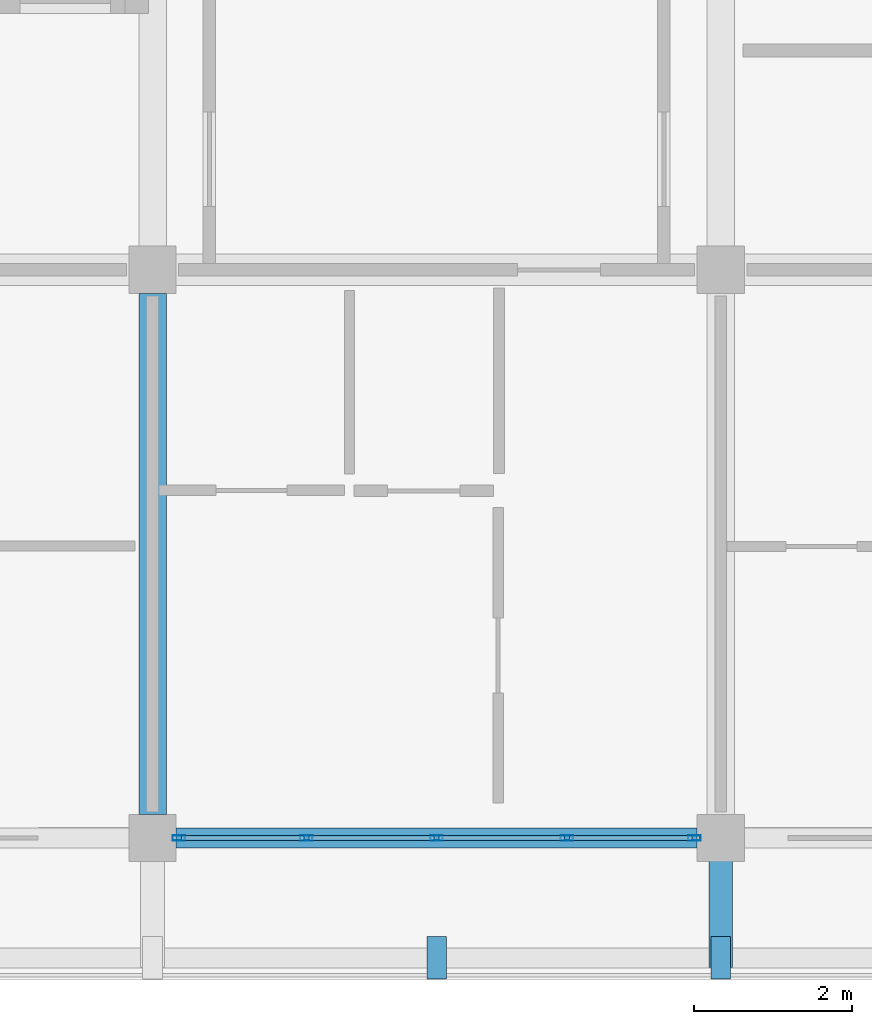
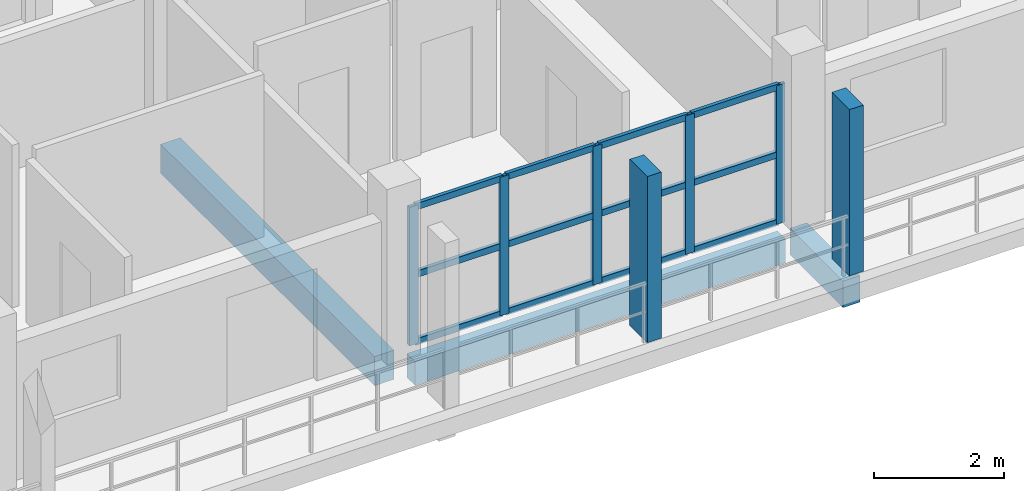
# One storey, part 23 of 75: 19 members, 3 beams, 1 element without a shape of its own.
"""IFC4 building model written with IfcOpenShell, lengths in metres."""

from ifc_helpers import new_model, si_unit, direction, frame, origin, origin_2d, place, context, subcontext, project, spatial, rectangle, hollow_rectangle, extrude, material, material_profile, profile_set, type_object, element, aggregate, save


model = new_model("IFC4")

# Units and contexts
model_context = context("Model", 3, precision=1e-05, world=origin(), true_north=direction((0.0, 1.0)))
body_context = subcontext(model_context, "Body", "Model", "MODEL_VIEW")
ifc_project = project(units=[si_unit("LENGTHUNIT", "METRE"), si_unit("AREAUNIT", "SQUARE_METRE"), si_unit("VOLUMEUNIT", "CUBIC_METRE"), si_unit("PLANEANGLEUNIT", "RADIAN"), si_unit("MASSUNIT", "GRAM", prefix="KILO")], contexts=[model_context])

# Site, building, storey
site_placement = place(None, origin())
site = spatial("IfcSite", under=ifc_project, at=site_placement, CompositionType="ELEMENT")
building_placement = place(site_placement, origin())
building = spatial("IfcBuilding", under=site, at=building_placement, Name="Suanplinth Sawtooth Commons", CompositionType="ELEMENT")
storey_placement = place(building_placement, frame((0.0, 0.0, 18.60009765625)))
storey = spatial("IfcBuildingStorey", under=building, at=storey_placement, Name="L05", CompositionType="ELEMENT", Elevation=18.60009765625)

# Beams
ifc_material_1 = material(Name="Precast concrete C40/50", Category="concrete")
ifc_material_profile_1 = material_profile(ifc_material_1, rectangle(XDim=0.35009765625, YDim=0.550048828125, at=origin_2d()), Name="PC-BM 350x550")
ifc_profile_set_1 = profile_set([ifc_material_profile_1], Name="Precast concrete C40/50")
beam_type_1 = type_object("IfcBeamType", Name="B-06", PredefinedType="BEAM", material=ifc_profile_set_1)
beam_1_placement = place(storey_placement, frame((144.0, 0.300048828125, -0.525146484375), z_axis=(0.0, 1.0, 0.0), x_axis=(-1.0, 0.0, 0.0)))
element("IfcBeam", 1, at=beam_1_placement, inside=storey, type_object=beam_type_1, Name="BMY-L05-C-20-0", PredefinedType="BEAM", context=body_context, shape_type="SweptSolid", body=[
    extrude(rectangle(XDim=0.35009765625, YDim=0.550048828125, at=origin_2d()), origin(), (0.0, 0.0, 1.0), 6.599853515625),
])
ifc_material_profile_2 = material_profile(ifc_material_1, rectangle(XDim=0.300048828125, YDim=0.5, at=origin_2d()), Name="PC-BM 300x500")
ifc_profile_set_2 = profile_set([ifc_material_profile_2], Name="Precast concrete C40/50")
beam_type_2 = type_object("IfcBeamType", Name="B-07", PredefinedType="BEAM", material=ifc_profile_set_2)
beam_2_placement = place(storey_placement, frame((151.199951171875, 0.0, -0.43017578125), z_axis=(0.0, -1.0, 0.0), x_axis=(1.0, 0.0, 0.0)))
element("IfcBeam", 2, at=beam_2_placement, inside=storey, type_object=beam_type_2, Name="Balcony Outrigger L05-C-S-21", PredefinedType="BEAM", context=body_context, shape_type="SweptSolid", body=[
    extrude(rectangle(XDim=0.300048828125, YDim=0.5, at=origin_2d()), origin(), (0.0, 0.0, 1.0), 1.639892578125),
])
ifc_material_profile_3 = material_profile(ifc_material_1, rectangle(XDim=0.25, YDim=0.449951171875, at=origin_2d()), Name="PC-SP 250x450")
ifc_profile_set_3 = profile_set([ifc_material_profile_3], Name="Precast concrete C40/50")
beam_type_3 = type_object("IfcBeamType", Name="B-09", PredefinedType="SPANDREL", material=ifc_profile_set_3)
beam_3_placement = place(storey_placement, frame((144.300048828125, 0.0, -0.47509765625), z_axis=(1.0, 0.0, 0.0), x_axis=(0.0, 1.0, 0.0)))
element("IfcBeam", 3, at=beam_3_placement, inside=storey, type_object=beam_type_3, Name="BMX-L05-C-20-0", PredefinedType="SPANDREL", context=body_context, shape_type="SweptSolid", body=[
    extrude(rectangle(XDim=0.25, YDim=0.449951171875, at=origin_2d()), origin(), (0.0, 0.0, 1.0), 6.599853515625),
])

# Members
ifc_material_2 = material(Name="Pigmented precast concrete C40/50", Category="concrete")
ifc_material_profile_4 = material_profile(ifc_material_2, rectangle(XDim=0.25, YDim=0.5400390625, at=origin_2d()), Name="PC-FIN 250x540")
ifc_profile_set_4 = profile_set([ifc_material_profile_4], Name="Pigmented precast concrete C40/50")
member_type_1 = type_object("IfcMemberType", Name="M-11", PredefinedType="USERDEFINED", material=ifc_profile_set_4)
for number, where, z_axis, x_axis, name in (
    (4, (147.60009765625, -1.52001953125, 0.0), (0.0, 0.0, 1.0), (1.0, 0.0, 0.0), "Upright Solar Blade L05-C-S-03"),
    (5, (151.199951171875, -1.52001953125, 0.0), (0.0, 0.0, 1.0), (1.0, 0.0, 0.0), "Upright Solar Blade L05-C-S-04"),
):
    element("IfcMember", number, at=place(storey_placement, frame(where, z_axis=z_axis, x_axis=x_axis)), inside=storey, type_object=member_type_1, Name=name, ObjectType="SHADING FIN", PredefinedType="USERDEFINED", context=body_context, shape_type="SweptSolid", body=[
        extrude(rectangle(XDim=0.25, YDim=0.5400390625, at=origin_2d()), origin(), (0.0, 0.0, 1.0), 3.1298828125),
    ])

# Curtain wall, members
ifc_material_3 = material(Name="Anodized aluminium and low-E glazing", Category="aluminium")
curtain_wall_type = type_object("IfcCurtainWallType", Name="CW-06", PredefinedType="USERDEFINED", material=ifc_material_3)
curtain_wall_placement = place(storey_placement, origin())
curtain_wall = element("IfcCurtainWall", 6, at=curtain_wall_placement, inside=storey, type_object=curtain_wall_type, Name="Curtain Wall CW-L05-C-LOUNGE-20", ObjectType="CURTAIN WALL", PredefinedType="USERDEFINED")
ifc_material_4 = material(Name="Anodized aluminium 6063-T6", Category="aluminium")
ifc_material_profile_5 = material_profile(ifc_material_4, hollow_rectangle(XDim=0.06494140625, YDim=0.159912109375, WallThickness=0.00390625, at=origin_2d()), Name="ALU-MUL 65x160")
ifc_profile_set_5 = profile_set([ifc_material_profile_5], Name="Anodized aluminium 6063-T6")
member_type_2 = type_object("IfcMemberType", Name="M-13", PredefinedType="MULLION", material=ifc_profile_set_5)
member_1_placement = place(storey_placement, frame((144.33251953125, 0.0, 0.0), z_axis=(0.0, 0.0, 1.0), x_axis=(0.0, 1.0, 0.0)))
member_1 = element("IfcMember", 7, at=member_1_placement, type_object=member_type_2, Name="CW-06 mullion 1", PredefinedType="MULLION", context=body_context, shape_type="SweptSolid", body=[
    extrude(hollow_rectangle(XDim=0.06494140625, YDim=0.159912109375, WallThickness=0.00390625, at=origin_2d()), origin(), (0.0, 0.0, 1.0), 2.60986328125),
])
member_2_placement = place(storey_placement, frame((145.949951171875, 0.0, 0.0), z_axis=(0.0, 0.0, 1.0), x_axis=(0.0, 1.0, 0.0)))
member_2 = element("IfcMember", 8, at=member_2_placement, type_object=member_type_2, Name="CW-06 mullion 2", PredefinedType="MULLION", context=body_context, shape_type="SweptSolid", body=[
    extrude(hollow_rectangle(XDim=0.06494140625, YDim=0.159912109375, WallThickness=0.00390625, at=origin_2d()), origin(), (0.0, 0.0, 1.0), 2.60986328125),
])
member_3_placement = place(storey_placement, frame((147.60009765625, 0.0, 0.0), z_axis=(0.0, 0.0, 1.0), x_axis=(0.0, 1.0, 0.0)))
member_3 = element("IfcMember", 9, at=member_3_placement, type_object=member_type_2, Name="CW-06 mullion 3", PredefinedType="MULLION", context=body_context, shape_type="SweptSolid", body=[
    extrude(hollow_rectangle(XDim=0.06494140625, YDim=0.159912109375, WallThickness=0.00390625, at=origin_2d()), origin(), (0.0, 0.0, 1.0), 2.60986328125),
])
member_4_placement = place(storey_placement, frame((149.25, 0.0, 0.0), z_axis=(0.0, 0.0, 1.0), x_axis=(0.0, 1.0, 0.0)))
member_4 = element("IfcMember", 10, at=member_4_placement, type_object=member_type_2, Name="CW-06 mullion 4", PredefinedType="MULLION", context=body_context, shape_type="SweptSolid", body=[
    extrude(hollow_rectangle(XDim=0.06494140625, YDim=0.159912109375, WallThickness=0.00390625, at=origin_2d()), origin(), (0.0, 0.0, 1.0), 2.60986328125),
])
member_5_placement = place(storey_placement, frame((150.867431640625, 0.0, 0.0), z_axis=(0.0, 0.0, 1.0), x_axis=(0.0, 1.0, 0.0)))
member_5 = element("IfcMember", 11, at=member_5_placement, type_object=member_type_2, Name="CW-06 mullion 5", PredefinedType="MULLION", context=body_context, shape_type="SweptSolid", body=[
    extrude(hollow_rectangle(XDim=0.06494140625, YDim=0.159912109375, WallThickness=0.00390625, at=origin_2d()), origin(), (0.0, 0.0, 1.0), 2.60986328125),
])
ifc_material_profile_6 = material_profile(ifc_material_4, hollow_rectangle(XDim=0.06494140625, YDim=0.1201171875, WallThickness=0.00390625, at=origin_2d()), Name="ALU-TRN 65x120")
ifc_profile_set_6 = profile_set([ifc_material_profile_6], Name="Anodized aluminium 6063-T6")
member_type_3 = type_object("IfcMemberType", Name="M-15", PredefinedType="USERDEFINED", material=ifc_profile_set_6)
member_6_placement = place(storey_placement, frame((144.364990234375, 0.0, 0.032470703125), z_axis=(1.0, 0.0, 0.0), x_axis=(0.0, 1.0, 0.0)))
member_6 = element("IfcMember", 12, at=member_6_placement, type_object=member_type_3, Name="CW-06 transom 1.1", ObjectType="TRANSOM", PredefinedType="USERDEFINED", context=body_context, shape_type="SweptSolid", body=[
    extrude(hollow_rectangle(XDim=0.06494140625, YDim=0.1201171875, WallThickness=0.00390625, at=origin_2d()), origin(), (0.0, 0.0, 1.0), 1.552490234375),
])
member_7_placement = place(storey_placement, frame((144.364990234375, 0.0, 1.304931640625), z_axis=(1.0, 0.0, 0.0), x_axis=(0.0, 1.0, 0.0)))
member_7 = element("IfcMember", 13, at=member_7_placement, type_object=member_type_3, Name="CW-06 transom 1.2", ObjectType="TRANSOM", PredefinedType="USERDEFINED", context=body_context, shape_type="SweptSolid", body=[
    extrude(hollow_rectangle(XDim=0.06494140625, YDim=0.1201171875, WallThickness=0.00390625, at=origin_2d()), origin(), (0.0, 0.0, 1.0), 1.552490234375),
])
member_8_placement = place(storey_placement, frame((144.364990234375, 0.0, 2.577392578125), z_axis=(1.0, 0.0, 0.0), x_axis=(0.0, 1.0, 0.0)))
member_8 = element("IfcMember", 14, at=member_8_placement, type_object=member_type_3, Name="CW-06 transom 1.3", ObjectType="TRANSOM", PredefinedType="USERDEFINED", context=body_context, shape_type="SweptSolid", body=[
    extrude(hollow_rectangle(XDim=0.06494140625, YDim=0.1201171875, WallThickness=0.00390625, at=origin_2d()), origin(), (0.0, 0.0, 1.0), 1.552490234375),
])
member_9_placement = place(storey_placement, frame((145.982421875, 0.0, 0.032470703125), z_axis=(1.0, 0.0, 0.0), x_axis=(0.0, 1.0, 0.0)))
member_9 = element("IfcMember", 15, at=member_9_placement, type_object=member_type_3, Name="CW-06 transom 2.1", ObjectType="TRANSOM", PredefinedType="USERDEFINED", context=body_context, shape_type="SweptSolid", body=[
    extrude(hollow_rectangle(XDim=0.06494140625, YDim=0.1201171875, WallThickness=0.00390625, at=origin_2d()), origin(), (0.0, 0.0, 1.0), 1.5849609375),
])
member_10_placement = place(storey_placement, frame((145.982421875, 0.0, 1.304931640625), z_axis=(1.0, 0.0, 0.0), x_axis=(0.0, 1.0, 0.0)))
member_10 = element("IfcMember", 16, at=member_10_placement, type_object=member_type_3, Name="CW-06 transom 2.2", ObjectType="TRANSOM", PredefinedType="USERDEFINED", context=body_context, shape_type="SweptSolid", body=[
    extrude(hollow_rectangle(XDim=0.06494140625, YDim=0.1201171875, WallThickness=0.00390625, at=origin_2d()), origin(), (0.0, 0.0, 1.0), 1.5849609375),
])
member_11_placement = place(storey_placement, frame((145.982421875, 0.0, 2.577392578125), z_axis=(1.0, 0.0, 0.0), x_axis=(0.0, 1.0, 0.0)))
member_11 = element("IfcMember", 17, at=member_11_placement, type_object=member_type_3, Name="CW-06 transom 2.3", ObjectType="TRANSOM", PredefinedType="USERDEFINED", context=body_context, shape_type="SweptSolid", body=[
    extrude(hollow_rectangle(XDim=0.06494140625, YDim=0.1201171875, WallThickness=0.00390625, at=origin_2d()), origin(), (0.0, 0.0, 1.0), 1.5849609375),
])
member_12_placement = place(storey_placement, frame((147.632568359375, 0.0, 0.032470703125), z_axis=(1.0, 0.0, 0.0), x_axis=(0.0, 1.0, 0.0)))
member_12 = element("IfcMember", 18, at=member_12_placement, type_object=member_type_3, Name="CW-06 transom 3.1", ObjectType="TRANSOM", PredefinedType="USERDEFINED", context=body_context, shape_type="SweptSolid", body=[
    extrude(hollow_rectangle(XDim=0.06494140625, YDim=0.1201171875, WallThickness=0.00390625, at=origin_2d()), origin(), (0.0, 0.0, 1.0), 1.5849609375),
])
member_13_placement = place(storey_placement, frame((147.632568359375, 0.0, 1.304931640625), z_axis=(1.0, 0.0, 0.0), x_axis=(0.0, 1.0, 0.0)))
member_13 = element("IfcMember", 19, at=member_13_placement, type_object=member_type_3, Name="CW-06 transom 3.2", ObjectType="TRANSOM", PredefinedType="USERDEFINED", context=body_context, shape_type="SweptSolid", body=[
    extrude(hollow_rectangle(XDim=0.06494140625, YDim=0.1201171875, WallThickness=0.00390625, at=origin_2d()), origin(), (0.0, 0.0, 1.0), 1.5849609375),
])
member_14_placement = place(storey_placement, frame((147.632568359375, 0.0, 2.577392578125), z_axis=(1.0, 0.0, 0.0), x_axis=(0.0, 1.0, 0.0)))
member_14 = element("IfcMember", 20, at=member_14_placement, type_object=member_type_3, Name="CW-06 transom 3.3", ObjectType="TRANSOM", PredefinedType="USERDEFINED", context=body_context, shape_type="SweptSolid", body=[
    extrude(hollow_rectangle(XDim=0.06494140625, YDim=0.1201171875, WallThickness=0.00390625, at=origin_2d()), origin(), (0.0, 0.0, 1.0), 1.5849609375),
])
member_15_placement = place(storey_placement, frame((149.282470703125, 0.0, 0.032470703125), z_axis=(1.0, 0.0, 0.0), x_axis=(0.0, 1.0, 0.0)))
member_15 = element("IfcMember", 21, at=member_15_placement, type_object=member_type_3, Name="CW-06 transom 4.1", ObjectType="TRANSOM", PredefinedType="USERDEFINED", context=body_context, shape_type="SweptSolid", body=[
    extrude(hollow_rectangle(XDim=0.06494140625, YDim=0.1201171875, WallThickness=0.00390625, at=origin_2d()), origin(), (0.0, 0.0, 1.0), 1.552490234375),
])
member_16_placement = place(storey_placement, frame((149.282470703125, 0.0, 1.304931640625), z_axis=(1.0, 0.0, 0.0), x_axis=(0.0, 1.0, 0.0)))
member_16 = element("IfcMember", 22, at=member_16_placement, type_object=member_type_3, Name="CW-06 transom 4.2", ObjectType="TRANSOM", PredefinedType="USERDEFINED", context=body_context, shape_type="SweptSolid", body=[
    extrude(hollow_rectangle(XDim=0.06494140625, YDim=0.1201171875, WallThickness=0.00390625, at=origin_2d()), origin(), (0.0, 0.0, 1.0), 1.552490234375),
])
member_17_placement = place(storey_placement, frame((149.282470703125, 0.0, 2.577392578125), z_axis=(1.0, 0.0, 0.0), x_axis=(0.0, 1.0, 0.0)))
member_17 = element("IfcMember", 23, at=member_17_placement, type_object=member_type_3, Name="CW-06 transom 4.3", ObjectType="TRANSOM", PredefinedType="USERDEFINED", context=body_context, shape_type="SweptSolid", body=[
    extrude(hollow_rectangle(XDim=0.06494140625, YDim=0.1201171875, WallThickness=0.00390625, at=origin_2d()), origin(), (0.0, 0.0, 1.0), 1.552490234375),
])
aggregate(curtain_wall, [member_1, member_2, member_3, member_4, member_5, member_6, member_7, member_8, member_9, member_10, member_11, member_12, member_13, member_14, member_15, member_16, member_17])

save(model, "model.ifc")
